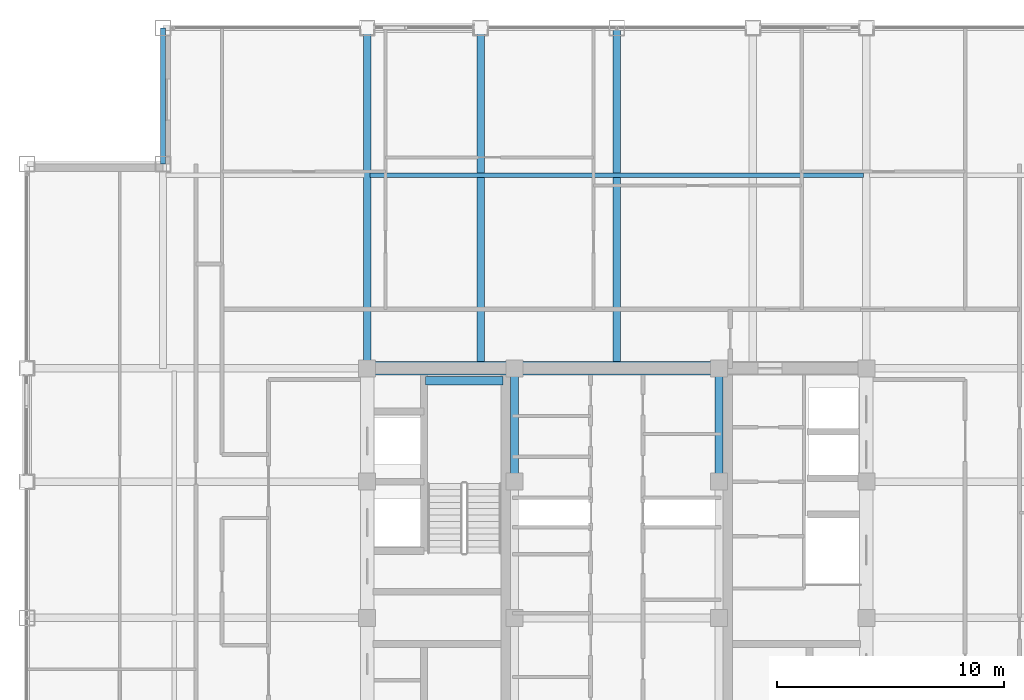
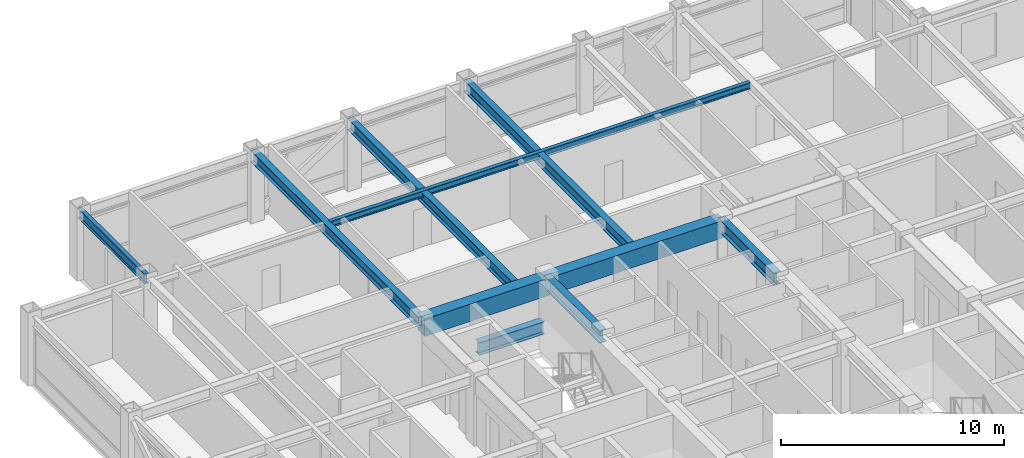
# One storey, part 15 of 29: 10 beams.
"""IFC4 building model written with IfcOpenShell, lengths in metres."""

import ifcopenshell
import ifcopenshell.guid

model = None  # the IFC model being written
_history = None  # IfcOwnerHistory: only IFC2X3 demands one
_inside = {}  # id of a spatial element -> (the spatial element, [elements in it])
_under = {}  # id of a project, library or spatial element -> (it, [spatial elements below it])
_declared = {}  # id of a project -> (the project, [libraries it declares])
_typed = {}  # id of a type object -> (the type object, [elements of that type])
_made_of = {}  # id of a material, layer set ... -> (it, [elements and type objects made of it])


def new_model(schema):
    """Start an empty IFC model of exactly this schema.

    Asked for "IFC4X3", IfcOpenShell would pick the latest addendum, in which some entities
    have other attributes; the version numbers below select the first issue.
    IFC2X3 requires an IfcOwnerHistory on every rooted entity: one is made here for all.
    """
    global model, _history
    if schema == "IFC4X3":
        model = ifcopenshell.file(schema_version=(4, 3, 0, 0))
    else:
        model = ifcopenshell.file(schema=schema)
    _inside.clear()
    _under.clear()
    _declared.clear()
    _typed.clear()
    _made_of.clear()
    _history = None
    if model.schema == "IFC2X3":
        org = make("IfcOrganization", Name="unknown")
        user = make(
            "IfcPersonAndOrganization",
            ThePerson=make("IfcPerson", FamilyName="unknown"),
            TheOrganization=org,
        )
        app = make(
            "IfcApplication",
            ApplicationDeveloper=org,
            Version="unknown",
            ApplicationFullName="unknown",
            ApplicationIdentifier="unknown",
        )
        _history = make(
            "IfcOwnerHistory",
            OwningUser=user,
            OwningApplication=app,
            ChangeAction="ADDED",
            CreationDate=0,
        )
    return model


def make(cls, **values):
    """One entity of the class cls with the attributes given. An attribute that is None is left unset."""
    return model.create_entity(
        cls, **{name: value for name, value in values.items() if value is not None}
    )


def rooted(cls, **values):
    """An entity with a GlobalId (a new one), such as an element, a storey or a relation."""
    return make(cls, GlobalId=ifcopenshell.guid.new(), OwnerHistory=_history, **values)


def si_unit(unit_type, name, prefix=None):
    """IfcSIUnit, for example si_unit("LENGTHUNIT", "METRE", prefix="MILLI")."""
    return make("IfcSIUnit", UnitType=unit_type, Prefix=prefix, Name=name)


def assignment(units):
    """IfcUnitAssignment: the units of a project."""
    return None if units is None else make("IfcUnitAssignment", Units=units)


def point(xyz):
    """IfcCartesianPoint."""
    return None if xyz is None else make("IfcCartesianPoint", Coordinates=xyz)


def direction(xyz):
    """IfcDirection."""
    return None if xyz is None else make("IfcDirection", DirectionRatios=xyz)


def frame(location, z_axis=None, x_axis=None):
    """IfcAxis2Placement3D, a coordinate frame: its origin and axes. An axis left out is left unset."""
    return make(
        "IfcAxis2Placement3D",
        Location=point(location),
        Axis=direction(z_axis),
        RefDirection=direction(x_axis),
    )


def frame_2d(location, x_axis=None):
    """IfcAxis2Placement2D, a coordinate frame in the plane: its origin and x axis."""
    return make(
        "IfcAxis2Placement2D", Location=point(location), RefDirection=direction(x_axis)
    )


def origin():
    """The frame at (0, 0, 0) with its axes left unset."""
    return frame((0.0, 0.0, 0.0))


def origin_2d():
    """The frame at (0, 0) in the plane with its x axis left unset."""
    return frame_2d((0.0, 0.0))


def place(relative_to, where):
    """IfcLocalPlacement: puts the frame where relative to a parent placement (None: the world)."""
    return make(
        "IfcLocalPlacement", PlacementRelTo=relative_to, RelativePlacement=where
    )


def context(
    kind, dimensions, precision=None, world=None, true_north=None, identifier=None
):
    """IfcGeometricRepresentationContext, for example the 3D "Model" context."""
    return make(
        "IfcGeometricRepresentationContext",
        ContextIdentifier=identifier,
        ContextType=kind,
        CoordinateSpaceDimension=dimensions,
        Precision=precision,
        WorldCoordinateSystem=world,
        TrueNorth=true_north,
    )


def subcontext(parent, identifier, kind, view, scale=None):
    """IfcGeometricRepresentationSubContext, for example "Body" below "Model"."""
    return make(
        "IfcGeometricRepresentationSubContext",
        ContextIdentifier=identifier,
        ContextType=kind,
        ParentContext=parent,
        TargetScale=scale,
        TargetView=view,
    )


def project(units=None, contexts=None):
    """IfcProject with its units and contexts."""
    return rooted(
        "IfcProject",
        Name="project",
        RepresentationContexts=contexts,
        UnitsInContext=assignment(units),
    )


def spatial(cls, under=None, at=None, **own):
    """A site, building, storey or space (cls), placed at a placement, below another one or the project."""
    s = rooted(cls, ObjectPlacement=at, **own)
    if under is not None:
        _under.setdefault(under.id(), (under, []))[1].append(s)
    return s


def profile(cls, at=None, kind="AREA", **sizes):
    """A parametric profile (cls). Its sizes go by their IFC names, for example OverallWidth=200.0."""
    return make(cls, ProfileType=kind, Position=at, **sizes)


def rectangle(**sizes):
    """IfcRectangleProfileDef."""
    return profile("IfcRectangleProfileDef", **sizes)


def i_section(**sizes):
    """IfcIShapeProfileDef."""
    return profile("IfcIShapeProfileDef", **sizes)


def extrude(swept, where, along, depth):
    """IfcExtrudedAreaSolid: the profile swept, set in the frame where, extruded along a direction by depth."""
    return make(
        "IfcExtrudedAreaSolid",
        SweptArea=swept,
        Position=where,
        ExtrudedDirection=direction(along),
        Depth=depth,
    )


def shape(context_of_items, identifier, shape_type, items):
    """IfcShapeRepresentation: the items that make up one representation, for example the "Body"."""
    return make(
        "IfcShapeRepresentation",
        ContextOfItems=context_of_items,
        RepresentationIdentifier=identifier,
        RepresentationType=shape_type,
        Items=items,
    )


def source(mapping_origin, context_of_items, identifier, shape_type, items):
    """IfcRepresentationMap: a shape defined once, which mapped items show again and again."""
    return make(
        "IfcRepresentationMap",
        MappingOrigin=mapping_origin,
        MappedRepresentation=shape(context_of_items, identifier, shape_type, items),
    )


def transform(
    local_origin,
    x_axis=None,
    y_axis=None,
    z_axis=None,
    scale=None,
    scale2=None,
    scale3=None,
    uniform=True,
):
    """IfcCartesianTransformationOperator3D, or its non-uniform kind. x_axis, y_axis, z_axis: its Axis1, 2, 3."""
    if uniform:
        return make(
            "IfcCartesianTransformationOperator3D",
            Axis1=direction(x_axis),
            Axis2=direction(y_axis),
            LocalOrigin=point(local_origin),
            Scale=scale,
            Axis3=direction(z_axis),
        )
    return make(
        "IfcCartesianTransformationOperator3DnonUniform",
        Axis1=direction(x_axis),
        Axis2=direction(y_axis),
        LocalOrigin=point(local_origin),
        Scale=scale,
        Axis3=direction(z_axis),
        Scale2=scale2,
        Scale3=scale3,
    )


def mapped(mapping_source, mapping_target):
    """IfcMappedItem: shows the shape of a source again, moved by a transform."""
    return make(
        "IfcMappedItem", MappingSource=mapping_source, MappingTarget=mapping_target
    )


def material(Name=None, Category=None):
    """IfcMaterial."""
    return make("IfcMaterial", Name=Name, Category=Category)


def material_profile(
    of_material, cross_section, Name=None, Category=None, Priority=None
):
    """IfcMaterialProfile: a cross section and its material."""
    return make(
        "IfcMaterialProfile",
        Name=Name,
        Material=of_material,
        Profile=cross_section,
        Priority=Priority,
        Category=Category,
    )


def profile_set(profiles, Name=None, composite=None):
    """IfcMaterialProfileSet."""
    return make(
        "IfcMaterialProfileSet",
        Name=Name,
        MaterialProfiles=profiles,
        CompositeProfile=composite,
    )


def made_of(thing, what):
    """Note that an element or type object is made of a material, layer set ...; save() writes the relation."""
    if what is not None:
        _made_of.setdefault(what.id(), (what, []))[1].append(thing)
    return thing


def type_object(cls, material=None, **own):
    """A type object (cls), such as IfcWallType, which elements share."""
    return made_of(rooted(cls, **own), material)


def element(
    cls,
    number,
    at=None,
    inside=None,
    cuts=None,
    type_object=None,
    material=None,
    context=None,
    identifier="Body",
    shape_type=None,
    held_by="IfcProductDefinitionShape",
    body=None,
    shapes=None,
    **own,
):
    """One element of the class cls, such as IfcWall. Its Tag is "e" and its number.

    at: its placement. inside: the storey or other place that contains it. cuts: it is an
    opening in that element (IfcRelVoidsElement). A single representation is given by context,
    identifier, shape_type and body (its items); several are given by shapes. held_by: the class
    of the entity that holds the representations. save() writes the other relations.
    """
    e = rooted(cls, Tag="e%d" % number, ObjectPlacement=at, **own)
    if body is not None:
        shapes = [shape(context, identifier, shape_type, body)]
    if shapes is not None:
        e.Representation = make(held_by, Representations=shapes)
    if inside is not None:
        _inside.setdefault(inside.id(), (inside, []))[1].append(e)
    if cuts is not None:
        rooted(
            "IfcRelVoidsElement", RelatingBuildingElement=cuts, RelatedOpeningElement=e
        )
    if type_object is not None:
        _typed.setdefault(type_object.id(), (type_object, []))[1].append(e)
    return made_of(e, material)


def aggregate(whole, parts):
    """IfcRelAggregates: a whole, such as a stair, and the parts it consists of."""
    return rooted("IfcRelAggregates", RelatingObject=whole, RelatedObjects=parts)


def save(model, path):
    """Write the relations noted so far, then the file.

    IfcRelAggregates (storeys below a building ...), IfcRelContainedInSpatialStructure (elements
    in a storey), IfcRelDefinesByType, IfcRelAssociatesMaterial and IfcRelDeclares: one each for
    every whole, place, type object, material and project.
    """
    for whole, parts in _under.values():
        aggregate(whole, parts)
    for where, things in _inside.values():
        rooted(
            "IfcRelContainedInSpatialStructure",
            RelatedElements=things,
            RelatingStructure=where,
        )
    for kind, things in _typed.values():
        rooted("IfcRelDefinesByType", RelatedObjects=things, RelatingType=kind)
    for what, things in _made_of.values():
        rooted("IfcRelAssociatesMaterial", RelatedObjects=things, RelatingMaterial=what)
    for by, libraries in _declared.values():
        rooted("IfcRelDeclares", RelatingContext=by, RelatedDefinitions=libraries)
    model.write(path)


model = new_model("IFC4")

# Units and contexts
model_context = context("Model", 3, precision=1e-05, world=origin(), true_north=direction((0.0, 1.0)))
body_context = subcontext(model_context, "Body", "Model", "MODEL_VIEW")
ifc_project = project(units=[si_unit("LENGTHUNIT", "METRE"), si_unit("AREAUNIT", "SQUARE_METRE"), si_unit("VOLUMEUNIT", "CUBIC_METRE"), si_unit("PLANEANGLEUNIT", "RADIAN"), si_unit("MASSUNIT", "GRAM", prefix="KILO")], contexts=[model_context])

# Site, building, storey
site_placement = place(None, origin())
site = spatial("IfcSite", under=ifc_project, at=site_placement, CompositionType="ELEMENT")
building_placement = place(site_placement, origin())
building = spatial("IfcBuilding", under=site, at=building_placement, Name="Khorayat Bourse Tower", CompositionType="ELEMENT")
storey_placement = place(building_placement, frame((0.0, 0.0, 366.300048828125)))
storey = spatial("IfcBuildingStorey", under=building, at=storey_placement, Name="L87", CompositionType="ELEMENT", Elevation=366.300048828125)

# Beams
ifc_material_1 = material(Name="Steel ASTM A992 Grade 50", Category="steel")
ifc_material_profile_1 = material_profile(ifc_material_1, i_section(OverallWidth=0.35498046875, OverallDepth=0.695068359375, WebThickness=0.015380859375, FlangeThickness=0.02490234375, FilletRadius=0.01806640625, at=origin_2d()), Name="W690X217")
ifc_profile_set_1 = profile_set([ifc_material_profile_1], Name="Steel ASTM A992 Grade 50")
beam_type_1 = type_object("IfcBeamType", Name="BM-GIRD-690", PredefinedType="BEAM", material=ifc_profile_set_1)
shared_shape_1 = source(origin(), body_context, "Body", "SweptSolid", [
    extrude(i_section(OverallWidth=0.35498046875, OverallDepth=0.695068359375, WebThickness=0.015380859375, FlangeThickness=0.02490234375, FilletRadius=0.01806640625, at=origin_2d()), origin(), (0.0, 0.0, 1.0), 5.0),
])
for number, where, z_axis, x_axis, name in (
    (1, (-4.5, 6.0, 3.392333984375), (0.0, 1.0, 0.0), (-1.0, 0.0, 0.0), "L87 BM-GIRD-690 BM-L87-CRX-08"),
    (2, (4.5, 6.0, 3.392333984375), (0.0, 1.0, 0.0), (-1.0, 0.0, 0.0), "L87 BM-GIRD-690 BM-L87-CRX-12"),
):
    element("IfcBeam", number, at=place(storey_placement, frame(where, z_axis=z_axis, x_axis=x_axis)), inside=storey, type_object=beam_type_1, Name=name, PredefinedType="BEAM", context=body_context, shape_type="MappedRepresentation", body=[
        mapped(shared_shape_1, transform((0.0, 0.0, 0.0), scale=1.0)),
    ])
shared_shape_2 = source(origin(), body_context, "Body", "SweptSolid", [
    extrude(i_section(OverallWidth=0.35498046875, OverallDepth=0.695068359375, WebThickness=0.015380859375, FlangeThickness=0.02490234375, FilletRadius=0.01806640625, at=origin_2d()), origin(), (0.0, 0.0, 1.0), 3.39990234375),
])
beam_1_placement = place(storey_placement, frame((-8.419921875, 10.449951171875, 1.452392578125), z_axis=(1.0, 0.0, 0.0), x_axis=(0.0, 1.0, 0.0)))
element("IfcBeam", 3, at=beam_1_placement, inside=storey, type_object=beam_type_1, Name="L87 BM-GIRD-690 BM-L87-ST2L", PredefinedType="BEAM", context=body_context, shape_type="MappedRepresentation", body=[
    mapped(shared_shape_2, transform((0.0, 0.0, 0.0), scale=1.0)),
])
ifc_material_2 = material(Name="Concrete C60/75", Category="concrete")
ifc_material_profile_2 = material_profile(ifc_material_2, rectangle(XDim=0.60009765625, YDim=0.949951171875, at=origin_2d()), Name="RC 600x950")
ifc_profile_set_2 = profile_set([ifc_material_profile_2], Name="Concrete C60/75")
beam_type_2 = type_object("IfcBeamType", Name="BM-COUP-950", PredefinedType="BEAM", material=ifc_profile_set_2)
shared_shape_3 = source(origin(), body_context, "Body", "SweptSolid", [
    extrude(rectangle(XDim=0.60009765625, YDim=0.949951171875, at=origin_2d()), origin(), (0.0, 0.0, 1.0), 6.5),
])
beam_2_placement = place(storey_placement, frame((-11.0, 11.0, 3.264892578125), z_axis=(1.0, 0.0, 0.0), x_axis=(0.0, 1.0, 0.0)))
element("IfcBeam", 4, at=beam_2_placement, inside=storey, type_object=beam_type_2, Name="L87 BM-COUP-950 BM-L87-CRY-20", PredefinedType="BEAM", context=body_context, shape_type="MappedRepresentation", body=[
    mapped(shared_shape_3, transform((0.0, 0.0, 0.0), scale=1.0)),
])
shared_shape_4 = source(origin(), body_context, "Body", "SweptSolid", [
    extrude(rectangle(XDim=0.60009765625, YDim=0.949951171875, at=origin_2d()), origin(), (0.0, 0.0, 1.0), 9.0),
])
beam_3_placement = place(storey_placement, frame((-4.5, 11.0, 3.264892578125), z_axis=(1.0, 0.0, 0.0), x_axis=(0.0, 1.0, 0.0)))
element("IfcBeam", 5, at=beam_3_placement, inside=storey, type_object=beam_type_2, Name="L87 BM-COUP-950 BM-L87-CRY-21", PredefinedType="BEAM", context=body_context, shape_type="MappedRepresentation", body=[
    mapped(shared_shape_4, transform((0.0, 0.0, 0.0), scale=1.0)),
])
ifc_material_profile_3 = material_profile(ifc_material_1, i_section(OverallWidth=0.202880859375, OverallDepth=0.346923828125, WebThickness=0.0078125, FlangeThickness=0.013427734375, FilletRadius=0.010009765625, at=origin_2d()), Name="W360X64")
ifc_profile_set_3 = profile_set([ifc_material_profile_3], Name="Steel ASTM A992 Grade 50")
beam_type_3 = type_object("IfcBeamType", Name="BM-JOIST-360", PredefinedType="JOIST", material=ifc_profile_set_3)
shared_shape_5 = source(origin(), body_context, "Body", "SweptSolid", [
    extrude(i_section(OverallWidth=0.202880859375, OverallDepth=0.346923828125, WebThickness=0.0078125, FlangeThickness=0.013427734375, FilletRadius=0.010009765625, at=origin_2d()), origin(), (0.0, 0.0, 1.0), 21.740234375),
])
beam_4_placement = place(storey_placement, frame((-10.8701171875, 19.5, 3.56640625), z_axis=(1.0, 0.0, 0.0), x_axis=(0.0, 1.0, 0.0)))
element("IfcBeam", 6, at=beam_4_placement, inside=storey, type_object=beam_type_3, Name="L87 BM-JOIST-360 BM-L87-JSTX-084", PredefinedType="JOIST", context=body_context, shape_type="MappedRepresentation", body=[
    mapped(shared_shape_5, transform((0.0, 0.0, 0.0), scale=1.0)),
])
ifc_material_profile_4 = material_profile(ifc_material_1, i_section(OverallWidth=0.214111328125, OverallDepth=0.549072265625, WebThickness=0.0146484375, FlangeThickness=0.023681640625, FilletRadius=0.013916015625, at=origin_2d()), Name="W530X138")
ifc_profile_set_4 = profile_set([ifc_material_profile_4], Name="Steel ASTM A992 Grade 50")
beam_type_4 = type_object("IfcBeamType", Name="BM-SPAN-530", PredefinedType="SPANDREL", material=ifc_profile_set_4)
shared_shape_6 = source(origin(), body_context, "Body", "SweptSolid", [
    extrude(i_section(OverallWidth=0.214111328125, OverallDepth=0.549072265625, WebThickness=0.0146484375, FlangeThickness=0.023681640625, FilletRadius=0.013916015625, at=origin_2d()), origin(), (0.0, 0.0, 1.0), 6.0),
])
beam_5_placement = place(storey_placement, frame((-20.0, 20.0, 3.46533203125), z_axis=(0.0, 1.0, 0.0), x_axis=(-1.0, 0.0, 0.0)))
element("IfcBeam", 7, at=beam_5_placement, inside=storey, type_object=beam_type_4, Name="L87 BM-SPAN-530 BM-L87-SPN-046", PredefinedType="SPANDREL", context=body_context, shape_type="MappedRepresentation", body=[
    mapped(shared_shape_6, transform((0.0, 0.0, 0.0), scale=1.0)),
])
ifc_material_profile_5 = material_profile(ifc_material_1, i_section(OverallWidth=0.324951171875, OverallDepth=0.615966796875, WebThickness=0.013916015625, FlangeThickness=0.021484375, FilletRadius=0.01611328125, at=origin_2d()), Name="W610X174")
ifc_profile_set_5 = profile_set([ifc_material_profile_5], Name="Steel ASTM A992 Grade 50")
beam_type_5 = type_object("IfcBeamType", Name="BM-GIRD-610", PredefinedType="BEAM", material=ifc_profile_set_5)
shared_shape_7 = source(origin(), body_context, "Body", "SweptSolid", [
    extrude(i_section(OverallWidth=0.324951171875, OverallDepth=0.615966796875, WebThickness=0.013916015625, FlangeThickness=0.021484375, FilletRadius=0.01611328125, at=origin_2d()), origin(), (0.0, 0.0, 1.0), 15.0),
])
for number, where, z_axis, x_axis, name in (
    (8, (-11.0, 11.0, 3.431884765625), (0.0, 1.0, 0.0), (-1.0, 0.0, 0.0), "L87 BM-GIRD-610 BM-L87-RADY-056"),
    (9, (-6.0, 11.0, 3.431884765625), (0.0, 1.0, 0.0), (-1.0, 0.0, 0.0), "L87 BM-GIRD-610 BM-L87-RADY-058"),
    (10, (0.0, 11.0, 3.431884765625), (0.0, 1.0, 0.0), (-1.0, 0.0, 0.0), "L87 BM-GIRD-610 BM-L87-RADY-060"),
):
    element("IfcBeam", number, at=place(storey_placement, frame(where, z_axis=z_axis, x_axis=x_axis)), inside=storey, type_object=beam_type_5, Name=name, PredefinedType="BEAM", context=body_context, shape_type="MappedRepresentation", body=[
        mapped(shared_shape_7, transform((0.0, 0.0, 0.0), scale=1.0)),
    ])

save(model, "model.ifc")
